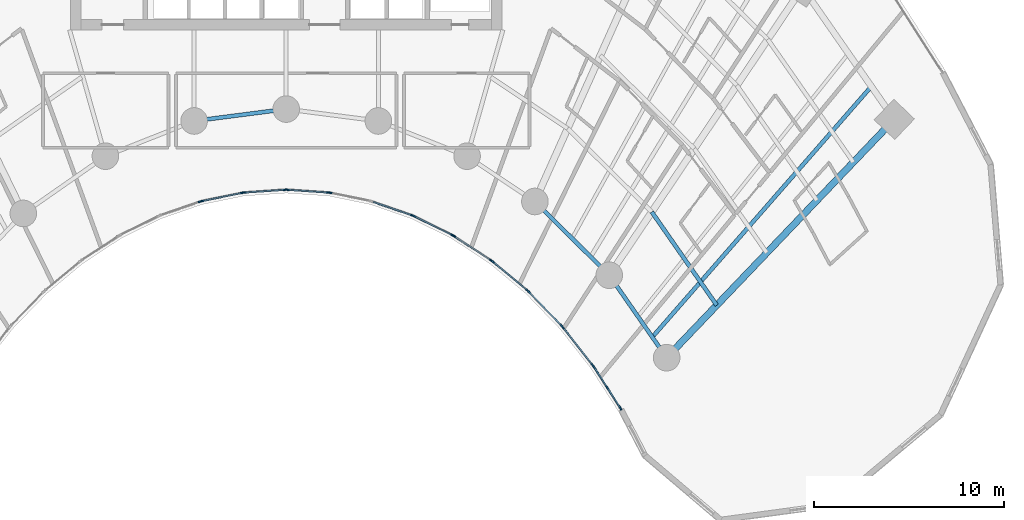
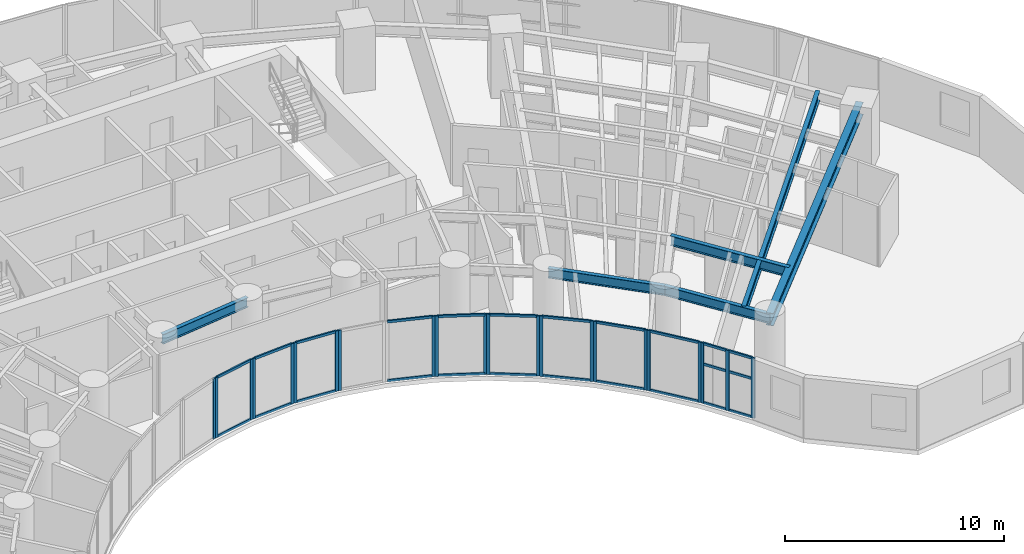
# One storey, part 4 of 18: 46 members, 6 beams, 12 elements without a shape of their own.
"""IFC4 building model written with IfcOpenShell, lengths in metres."""

import ifcopenshell
import ifcopenshell.guid

model = None  # the IFC model being written
_history = None  # IfcOwnerHistory: only IFC2X3 demands one
_inside = {}  # id of a spatial element -> (the spatial element, [elements in it])
_under = {}  # id of a project, library or spatial element -> (it, [spatial elements below it])
_declared = {}  # id of a project -> (the project, [libraries it declares])
_typed = {}  # id of a type object -> (the type object, [elements of that type])
_made_of = {}  # id of a material, layer set ... -> (it, [elements and type objects made of it])


def new_model(schema):
    """Start an empty IFC model of exactly this schema.

    Asked for "IFC4X3", IfcOpenShell would pick the latest addendum, in which some entities
    have other attributes; the version numbers below select the first issue.
    IFC2X3 requires an IfcOwnerHistory on every rooted entity: one is made here for all.
    """
    global model, _history
    if schema == "IFC4X3":
        model = ifcopenshell.file(schema_version=(4, 3, 0, 0))
    else:
        model = ifcopenshell.file(schema=schema)
    _inside.clear()
    _under.clear()
    _declared.clear()
    _typed.clear()
    _made_of.clear()
    _history = None
    if model.schema == "IFC2X3":
        org = make("IfcOrganization", Name="unknown")
        user = make(
            "IfcPersonAndOrganization",
            ThePerson=make("IfcPerson", FamilyName="unknown"),
            TheOrganization=org,
        )
        app = make(
            "IfcApplication",
            ApplicationDeveloper=org,
            Version="unknown",
            ApplicationFullName="unknown",
            ApplicationIdentifier="unknown",
        )
        _history = make(
            "IfcOwnerHistory",
            OwningUser=user,
            OwningApplication=app,
            ChangeAction="ADDED",
            CreationDate=0,
        )
    return model


def make(cls, **values):
    """One entity of the class cls with the attributes given. An attribute that is None is left unset."""
    return model.create_entity(
        cls, **{name: value for name, value in values.items() if value is not None}
    )


def rooted(cls, **values):
    """An entity with a GlobalId (a new one), such as an element, a storey or a relation."""
    return make(cls, GlobalId=ifcopenshell.guid.new(), OwnerHistory=_history, **values)


def si_unit(unit_type, name, prefix=None):
    """IfcSIUnit, for example si_unit("LENGTHUNIT", "METRE", prefix="MILLI")."""
    return make("IfcSIUnit", UnitType=unit_type, Prefix=prefix, Name=name)


def assignment(units):
    """IfcUnitAssignment: the units of a project."""
    return None if units is None else make("IfcUnitAssignment", Units=units)


def point(xyz):
    """IfcCartesianPoint."""
    return None if xyz is None else make("IfcCartesianPoint", Coordinates=xyz)


def direction(xyz):
    """IfcDirection."""
    return None if xyz is None else make("IfcDirection", DirectionRatios=xyz)


def frame(location, z_axis=None, x_axis=None):
    """IfcAxis2Placement3D, a coordinate frame: its origin and axes. An axis left out is left unset."""
    return make(
        "IfcAxis2Placement3D",
        Location=point(location),
        Axis=direction(z_axis),
        RefDirection=direction(x_axis),
    )


def frame_2d(location, x_axis=None):
    """IfcAxis2Placement2D, a coordinate frame in the plane: its origin and x axis."""
    return make(
        "IfcAxis2Placement2D", Location=point(location), RefDirection=direction(x_axis)
    )


def origin():
    """The frame at (0, 0, 0) with its axes left unset."""
    return frame((0.0, 0.0, 0.0))


def origin_2d():
    """The frame at (0, 0) in the plane with its x axis left unset."""
    return frame_2d((0.0, 0.0))


def place(relative_to, where):
    """IfcLocalPlacement: puts the frame where relative to a parent placement (None: the world)."""
    return make(
        "IfcLocalPlacement", PlacementRelTo=relative_to, RelativePlacement=where
    )


def context(
    kind, dimensions, precision=None, world=None, true_north=None, identifier=None
):
    """IfcGeometricRepresentationContext, for example the 3D "Model" context."""
    return make(
        "IfcGeometricRepresentationContext",
        ContextIdentifier=identifier,
        ContextType=kind,
        CoordinateSpaceDimension=dimensions,
        Precision=precision,
        WorldCoordinateSystem=world,
        TrueNorth=true_north,
    )


def subcontext(parent, identifier, kind, view, scale=None):
    """IfcGeometricRepresentationSubContext, for example "Body" below "Model"."""
    return make(
        "IfcGeometricRepresentationSubContext",
        ContextIdentifier=identifier,
        ContextType=kind,
        ParentContext=parent,
        TargetScale=scale,
        TargetView=view,
    )


def project(units=None, contexts=None):
    """IfcProject with its units and contexts."""
    return rooted(
        "IfcProject",
        Name="project",
        RepresentationContexts=contexts,
        UnitsInContext=assignment(units),
    )


def spatial(cls, under=None, at=None, **own):
    """A site, building, storey or space (cls), placed at a placement, below another one or the project."""
    s = rooted(cls, ObjectPlacement=at, **own)
    if under is not None:
        _under.setdefault(under.id(), (under, []))[1].append(s)
    return s


def profile(cls, at=None, kind="AREA", **sizes):
    """A parametric profile (cls). Its sizes go by their IFC names, for example OverallWidth=200.0."""
    return make(cls, ProfileType=kind, Position=at, **sizes)


def rectangle(**sizes):
    """IfcRectangleProfileDef."""
    return profile("IfcRectangleProfileDef", **sizes)


def i_section(**sizes):
    """IfcIShapeProfileDef."""
    return profile("IfcIShapeProfileDef", **sizes)


def extrude(swept, where, along, depth):
    """IfcExtrudedAreaSolid: the profile swept, set in the frame where, extruded along a direction by depth."""
    return make(
        "IfcExtrudedAreaSolid",
        SweptArea=swept,
        Position=where,
        ExtrudedDirection=direction(along),
        Depth=depth,
    )


def shape(context_of_items, identifier, shape_type, items):
    """IfcShapeRepresentation: the items that make up one representation, for example the "Body"."""
    return make(
        "IfcShapeRepresentation",
        ContextOfItems=context_of_items,
        RepresentationIdentifier=identifier,
        RepresentationType=shape_type,
        Items=items,
    )


def source(mapping_origin, context_of_items, identifier, shape_type, items):
    """IfcRepresentationMap: a shape defined once, which mapped items show again and again."""
    return make(
        "IfcRepresentationMap",
        MappingOrigin=mapping_origin,
        MappedRepresentation=shape(context_of_items, identifier, shape_type, items),
    )


def transform(
    local_origin,
    x_axis=None,
    y_axis=None,
    z_axis=None,
    scale=None,
    scale2=None,
    scale3=None,
    uniform=True,
):
    """IfcCartesianTransformationOperator3D, or its non-uniform kind. x_axis, y_axis, z_axis: its Axis1, 2, 3."""
    if uniform:
        return make(
            "IfcCartesianTransformationOperator3D",
            Axis1=direction(x_axis),
            Axis2=direction(y_axis),
            LocalOrigin=point(local_origin),
            Scale=scale,
            Axis3=direction(z_axis),
        )
    return make(
        "IfcCartesianTransformationOperator3DnonUniform",
        Axis1=direction(x_axis),
        Axis2=direction(y_axis),
        LocalOrigin=point(local_origin),
        Scale=scale,
        Axis3=direction(z_axis),
        Scale2=scale2,
        Scale3=scale3,
    )


def mapped(mapping_source, mapping_target):
    """IfcMappedItem: shows the shape of a source again, moved by a transform."""
    return make(
        "IfcMappedItem", MappingSource=mapping_source, MappingTarget=mapping_target
    )


def material(Name=None, Category=None):
    """IfcMaterial."""
    return make("IfcMaterial", Name=Name, Category=Category)


def layer(
    of_material, thickness, ventilated=None, Name=None, Category=None, Priority=None
):
    """IfcMaterialLayer: one layer of a wall or slab, of a material (None: an air gap)."""
    return make(
        "IfcMaterialLayer",
        Material=of_material,
        LayerThickness=thickness,
        IsVentilated=ventilated,
        Name=Name,
        Category=Category,
        Priority=Priority,
    )


def layer_set(layers, Name=None):
    """IfcMaterialLayerSet."""
    return make("IfcMaterialLayerSet", MaterialLayers=layers, LayerSetName=Name)


def material_profile(
    of_material, cross_section, Name=None, Category=None, Priority=None
):
    """IfcMaterialProfile: a cross section and its material."""
    return make(
        "IfcMaterialProfile",
        Name=Name,
        Material=of_material,
        Profile=cross_section,
        Priority=Priority,
        Category=Category,
    )


def profile_set(profiles, Name=None, composite=None):
    """IfcMaterialProfileSet."""
    return make(
        "IfcMaterialProfileSet",
        Name=Name,
        MaterialProfiles=profiles,
        CompositeProfile=composite,
    )


def made_of(thing, what):
    """Note that an element or type object is made of a material, layer set ...; save() writes the relation."""
    if what is not None:
        _made_of.setdefault(what.id(), (what, []))[1].append(thing)
    return thing


def type_object(cls, material=None, **own):
    """A type object (cls), such as IfcWallType, which elements share."""
    return made_of(rooted(cls, **own), material)


def type_shapes(of_type, sources):
    """Give a type object the sources (RepresentationMaps) that its elements show as mapped items."""
    of_type.RepresentationMaps = sources


def element(
    cls,
    number,
    at=None,
    inside=None,
    cuts=None,
    type_object=None,
    material=None,
    context=None,
    identifier="Body",
    shape_type=None,
    held_by="IfcProductDefinitionShape",
    body=None,
    shapes=None,
    **own,
):
    """One element of the class cls, such as IfcWall. Its Tag is "e" and its number.

    at: its placement. inside: the storey or other place that contains it. cuts: it is an
    opening in that element (IfcRelVoidsElement). A single representation is given by context,
    identifier, shape_type and body (its items); several are given by shapes. held_by: the class
    of the entity that holds the representations. save() writes the other relations.
    """
    e = rooted(cls, Tag="e%d" % number, ObjectPlacement=at, **own)
    if body is not None:
        shapes = [shape(context, identifier, shape_type, body)]
    if shapes is not None:
        e.Representation = make(held_by, Representations=shapes)
    if inside is not None:
        _inside.setdefault(inside.id(), (inside, []))[1].append(e)
    if cuts is not None:
        rooted(
            "IfcRelVoidsElement", RelatingBuildingElement=cuts, RelatedOpeningElement=e
        )
    if type_object is not None:
        _typed.setdefault(type_object.id(), (type_object, []))[1].append(e)
    return made_of(e, material)


def aggregate(whole, parts):
    """IfcRelAggregates: a whole, such as a stair, and the parts it consists of."""
    return rooted("IfcRelAggregates", RelatingObject=whole, RelatedObjects=parts)


def save(model, path):
    """Write the relations noted so far, then the file.

    IfcRelAggregates (storeys below a building ...), IfcRelContainedInSpatialStructure (elements
    in a storey), IfcRelDefinesByType, IfcRelAssociatesMaterial and IfcRelDeclares: one each for
    every whole, place, type object, material and project.
    """
    for whole, parts in _under.values():
        aggregate(whole, parts)
    for where, things in _inside.values():
        rooted(
            "IfcRelContainedInSpatialStructure",
            RelatedElements=things,
            RelatingStructure=where,
        )
    for kind, things in _typed.values():
        rooted("IfcRelDefinesByType", RelatedObjects=things, RelatingType=kind)
    for what, things in _made_of.values():
        rooted("IfcRelAssociatesMaterial", RelatedObjects=things, RelatingMaterial=what)
    for by, libraries in _declared.values():
        rooted("IfcRelDeclares", RelatingContext=by, RelatedDefinitions=libraries)
    model.write(path)


model = new_model("IFC4")

# Units and contexts
model_context = context("Model", 3, precision=1e-05, world=origin(), true_north=direction((0.0, 1.0)))
body_context = subcontext(model_context, "Body", "Model", "MODEL_VIEW")
ifc_project = project(units=[si_unit("LENGTHUNIT", "METRE"), si_unit("AREAUNIT", "SQUARE_METRE"), si_unit("VOLUMEUNIT", "CUBIC_METRE"), si_unit("PLANEANGLEUNIT", "RADIAN"), si_unit("MASSUNIT", "GRAM", prefix="KILO")], contexts=[model_context])

# Site, building, storey
site_placement = place(None, origin())
site = spatial("IfcSite", under=ifc_project, at=site_placement, CompositionType="ELEMENT")
building_placement = place(site_placement, origin())
building = spatial("IfcBuilding", under=site, at=building_placement, Name="Breltana Convention Tower", CompositionType="ELEMENT")
storey_placement = place(building_placement, frame((0.0, 0.0, 35.39990234375)))
storey = spatial("IfcBuildingStorey", under=building, at=storey_placement, Name="L06", CompositionType="ELEMENT", Elevation=35.39990234375)

# Beams
ifc_material_1 = material(Name="Steel ASTM A992 Grade 50", Category="steel")
ifc_material_profile_1 = material_profile(ifc_material_1, i_section(OverallWidth=0.35498046875, OverallDepth=0.696044921875, WebThickness=0.015380859375, FlangeThickness=0.02490234375, at=origin_2d()), Name="W27X146")
ifc_profile_set_1 = profile_set([ifc_material_profile_1], Name="Steel ASTM A992 Grade 50")
beam_type_1 = type_object("IfcBeamType", Name="BM-RG-W27X146", PredefinedType="USERDEFINED", material=ifc_profile_set_1)
shared_shape_1 = source(origin(), body_context, "Body", "SweptSolid", [
    extrude(i_section(OverallWidth=0.35498046875, OverallDepth=0.696044921875, WebThickness=0.015380859375, FlangeThickness=0.02490234375, at=origin_2d()), origin(), (0.0, 0.0, 1.0), 17.341064453125),
])
type_shapes(beam_type_1, [shared_shape_1])
beam_1_placement = place(storey_placement, frame((68.015380859375, 42.95458984375, 3.01220703125), z_axis=(0.690716462293, 0.723125693581, 0.0), x_axis=(-0.723125693581, 0.690716462293, 0.0)))
element("IfcBeam", 1, at=beam_1_placement, inside=storey, type_object=beam_type_1, Name="L06 Radial Floor Girder R11", ObjectType="GIRDER", PredefinedType="USERDEFINED", context=body_context, shape_type="MappedRepresentation", body=[
    mapped(shared_shape_1, transform((0.0, 0.0, 0.0), scale=1.0)),
])
ifc_material_profile_2 = material_profile(ifc_material_1, i_section(OverallWidth=0.2099609375, OverallDepth=0.537109375, WebThickness=0.010986328125, FlangeThickness=0.017333984375, at=origin_2d()), Name="W21X68")
ifc_profile_set_2 = profile_set([ifc_material_profile_2], Name="Steel ASTM A992 Grade 50")
beam_type_2 = type_object("IfcBeamType", Name="BM-BM-W21X68", PredefinedType="BEAM", material=ifc_profile_set_2)
shared_shape_2 = source(origin(), body_context, "Body", "SweptSolid", [
    extrude(i_section(OverallWidth=0.2099609375, OverallDepth=0.537109375, WebThickness=0.010986328125, FlangeThickness=0.017333984375, at=origin_2d()), origin(), (0.0, 0.0, 1.0), 4.88671875),
])
beam_2_placement = place(storey_placement, frame((43.153564453125, 55.41064453125, 3.091552734375), z_axis=(0.991780525565, 0.127950729231, 0.0), x_axis=(-0.127950729231, 0.991780525565, 0.0)))
element("IfcBeam", 2, at=beam_2_placement, inside=storey, type_object=beam_type_2, Name="L06 Inner Ring Beam 05", PredefinedType="BEAM", context=body_context, shape_type="MappedRepresentation", body=[
    mapped(shared_shape_2, transform((0.0, 0.0, 0.0), scale=1.0)),
])
shared_shape_3 = source(origin(), body_context, "Body", "SweptSolid", [
    extrude(i_section(OverallWidth=0.2099609375, OverallDepth=0.537109375, WebThickness=0.010986328125, FlangeThickness=0.017333984375, at=origin_2d()), origin(), (0.0, 0.0, 1.0), 5.51171875),
])
beam_3_placement = place(storey_placement, frame((61.08203125, 51.174560546875, 3.091552734375), z_axis=(0.710090360749, -0.704110559196, 0.0), x_axis=(0.704110559196, 0.710090360749, 0.0)))
element("IfcBeam", 3, at=beam_3_placement, inside=storey, type_object=beam_type_2, Name="L06 Inner Ring Beam 09", PredefinedType="BEAM", context=body_context, shape_type="MappedRepresentation", body=[
    mapped(shared_shape_3, transform((0.0, 0.0, 0.0), scale=1.0)),
])
shared_shape_4 = source(origin(), body_context, "Body", "SweptSolid", [
    extrude(i_section(OverallWidth=0.2099609375, OverallDepth=0.537109375, WebThickness=0.010986328125, FlangeThickness=0.017333984375, at=origin_2d()), origin(), (0.0, 0.0, 1.0), 5.286376953125),
])
beam_4_placement = place(storey_placement, frame((64.995849609375, 47.293701171875, 3.091552734375), z_axis=(0.571194382458, -0.82081482531, 0.0), x_axis=(0.82081482531, 0.571194382458, 0.0)))
element("IfcBeam", 4, at=beam_4_placement, inside=storey, type_object=beam_type_2, Name="L06 Inner Ring Beam 10", PredefinedType="BEAM", context=body_context, shape_type="MappedRepresentation", body=[
    mapped(shared_shape_4, transform((0.0, 0.0, 0.0), scale=1.0)),
])
ifc_material_profile_3 = material_profile(ifc_material_1, i_section(OverallWidth=0.214111328125, OverallDepth=0.549072265625, WebThickness=0.0146484375, FlangeThickness=0.023681640625, at=origin_2d()), Name="W21X93")
ifc_profile_set_3 = profile_set([ifc_material_profile_3], Name="Steel ASTM A992 Grade 50")
beam_type_3 = type_object("IfcBeamType", Name="BM-JSG-03", PredefinedType="JOIST", material=ifc_profile_set_3)
shared_shape_5 = source(origin(), body_context, "Body", "SweptSolid", [
    extrude(i_section(OverallWidth=0.214111328125, OverallDepth=0.549072265625, WebThickness=0.0146484375, FlangeThickness=0.023681640625, at=origin_2d()), origin(), (0.0, 0.0, 1.0), 17.515625),
])
beam_5_placement = place(storey_placement, frame((67.260498046875, 44.03955078125, 3.085693359375), z_axis=(0.658051548324, 0.752972881151, 0.0), x_axis=(-0.752972881151, 0.658051548324, 0.0)))
element("IfcBeam", 5, at=beam_5_placement, inside=storey, type_object=beam_type_3, Name="L06 Quarter-Bay Radial Trimmer 10", PredefinedType="JOIST", context=body_context, shape_type="MappedRepresentation", body=[
    mapped(shared_shape_5, transform((0.0, 0.0, 0.0), scale=1.0)),
])
shared_shape_6 = source(origin(), body_context, "Body", "SweptSolid", [
    extrude(i_section(OverallWidth=0.214111328125, OverallDepth=0.549072265625, WebThickness=0.0146484375, FlangeThickness=0.023681640625, at=origin_2d()), origin(), (0.0, 0.0, 1.0), 5.982421875),
])
beam_6_placement = place(storey_placement, frame((67.2333984375, 50.623779296875, 3.085693359375), z_axis=(0.571211549446, -0.82080287876, 0.0), x_axis=(0.82080287876, 0.571211549446, 0.0)))
element("IfcBeam", 6, at=beam_6_placement, inside=storey, type_object=beam_type_3, Name="L06 Composite Floor Joist 10.1", PredefinedType="JOIST", context=body_context, shape_type="MappedRepresentation", body=[
    mapped(shared_shape_6, transform((0.0, 0.0, 0.0), scale=1.0)),
])

# Curtain wall, members
ifc_material_2 = material(Name="Aluminium Anodised Bronze Frame", Category="aluminium")
ifc_layer = layer(ifc_material_2, 0.18994140625, Name="Aluminium Anodised Bronze Frame")
ifc_layer_set = layer_set([ifc_layer], Name="Aluminium Anodised Bronze Frame")
curtain_wall_type = type_object("IfcCurtainWallType", Name="CW-SYS-1", PredefinedType="NOTDEFINED", material=ifc_layer_set)
curtain_wall_1_placement = place(storey_placement, origin())
curtain_wall_1 = element("IfcCurtainWall", 7, at=curtain_wall_1_placement, inside=storey, type_object=curtain_wall_type, Name="L06 inner south-court glazing 3", PredefinedType="NOTDEFINED")
ifc_material_3 = material(Name="Aluminium Anodised Bronze", Category="aluminium")
ifc_material_profile_4 = material_profile(ifc_material_3, rectangle(XDim=0.080078125, YDim=0.139892578125, at=origin_2d()), Name="CWT-80X140")
ifc_profile_set_4 = profile_set([ifc_material_profile_4], Name="Aluminium Anodised Bronze")
member_type_1 = type_object("IfcMemberType", Name="CWT-140", PredefinedType="USERDEFINED", material=ifc_profile_set_4)
shared_shape_7 = source(origin(), body_context, "Body", "SweptSolid", [
    extrude(rectangle(XDim=0.080078125, YDim=0.139892578125, at=origin_2d()), origin(), (0.0, 0.0, 1.0), 2.38720703125),
])
type_shapes(member_type_1, [shared_shape_7])
member_1_placement = place(storey_placement, frame((62.4560546875, 44.667724609375, 0.0400390625), z_axis=(-0.694623715393, 0.719373264734, 0.0), x_axis=(-0.719373264734, -0.694623715393, 0.0)))
member_1 = element("IfcMember", 8, at=member_1_placement, type_object=member_type_1, Name="CW-01 transom 1.1", ObjectType="TRANSOM", PredefinedType="USERDEFINED", context=body_context, shape_type="MappedRepresentation", body=[
    mapped(shared_shape_7, transform((0.0, 0.0, 0.0), scale=1.0)),
])
member_2_placement = place(storey_placement, frame((62.4560546875, 44.667724609375, 3.320068359375), z_axis=(-0.694623715393, 0.719373264734, 0.0), x_axis=(-0.719373264734, -0.694623715393, 0.0)))
member_2 = element("IfcMember", 9, at=member_2_placement, type_object=member_type_1, Name="CW-01 transom 1.2", ObjectType="TRANSOM", PredefinedType="USERDEFINED", context=body_context, shape_type="MappedRepresentation", body=[
    mapped(shared_shape_7, transform((0.0, 0.0, 0.0), scale=1.0)),
])

curtain_wall_2_placement = place(storey_placement, origin())
curtain_wall_2 = element("IfcCurtainWall", 10, at=curtain_wall_2_placement, inside=storey, type_object=curtain_wall_type, Name="L06 inner south-court glazing 4", PredefinedType="NOTDEFINED")
shared_shape_8 = source(origin(), body_context, "Body", "SweptSolid", [
    extrude(rectangle(XDim=0.080078125, YDim=0.139892578125, at=origin_2d()), origin(), (0.0, 0.0, 1.0), 2.312255859375),
])
member_3_placement = place(storey_placement, frame((60.666748046875, 46.5068359375, 0.0400390625), z_axis=(-0.767900974507, 0.640568570374, 0.0), x_axis=(-0.640568570374, -0.767900974507, 0.0)))
member_3 = element("IfcMember", 11, at=member_3_placement, type_object=member_type_1, Name="CW-01 transom 1.1", ObjectType="TRANSOM", PredefinedType="USERDEFINED", context=body_context, shape_type="MappedRepresentation", body=[
    mapped(shared_shape_8, transform((0.0, 0.0, 0.0), scale=1.0)),
])
member_4_placement = place(storey_placement, frame((60.666748046875, 46.5068359375, 3.320068359375), z_axis=(-0.767900974507, 0.640568570374, 0.0), x_axis=(-0.640568570374, -0.767900974507, 0.0)))
member_4 = element("IfcMember", 12, at=member_4_placement, type_object=member_type_1, Name="CW-01 transom 1.2", ObjectType="TRANSOM", PredefinedType="USERDEFINED", context=body_context, shape_type="MappedRepresentation", body=[
    mapped(shared_shape_8, transform((0.0, 0.0, 0.0), scale=1.0)),
])

curtain_wall_3_placement = place(storey_placement, origin())
curtain_wall_3 = element("IfcCurtainWall", 13, at=curtain_wall_3_placement, inside=storey, type_object=curtain_wall_type, Name="L06 inner south-court glazing 5", PredefinedType="NOTDEFINED")
shared_shape_9 = source(origin(), body_context, "Body", "SweptSolid", [
    extrude(rectangle(XDim=0.080078125, YDim=0.139892578125, at=origin_2d()), origin(), (0.0, 0.0, 1.0), 2.2421875),
])
member_5_placement = place(storey_placement, frame((58.746337890625, 48.095458984375, 0.0400390625), z_axis=(-0.835982353773, 0.548756324957, 0.0), x_axis=(-0.548756324957, -0.835982353773, 0.0)))
member_5 = element("IfcMember", 14, at=member_5_placement, type_object=member_type_1, Name="CW-01 transom 1.1", ObjectType="TRANSOM", PredefinedType="USERDEFINED", context=body_context, shape_type="MappedRepresentation", body=[
    mapped(shared_shape_9, transform((0.0, 0.0, 0.0), scale=1.0)),
])
member_6_placement = place(storey_placement, frame((58.746337890625, 48.095458984375, 3.320068359375), z_axis=(-0.835982353773, 0.548756324957, 0.0), x_axis=(-0.548756324957, -0.835982353773, 0.0)))
member_6 = element("IfcMember", 15, at=member_6_placement, type_object=member_type_1, Name="CW-01 transom 1.2", ObjectType="TRANSOM", PredefinedType="USERDEFINED", context=body_context, shape_type="MappedRepresentation", body=[
    mapped(shared_shape_9, transform((0.0, 0.0, 0.0), scale=1.0)),
])

curtain_wall_4_placement = place(storey_placement, origin())
curtain_wall_4 = element("IfcCurtainWall", 16, at=curtain_wall_4_placement, inside=storey, type_object=curtain_wall_type, Name="L06 inner south-court glazing 6", PredefinedType="NOTDEFINED")
shared_shape_10 = source(origin(), body_context, "Body", "SweptSolid", [
    extrude(rectangle(XDim=0.080078125, YDim=0.139892578125, at=origin_2d()), origin(), (0.0, 0.0, 1.0), 2.180908203125),
])
member_7_placement = place(storey_placement, frame((56.71435546875, 49.416015625, 0.0400390625), z_axis=(-0.895922266369, 0.444210865045, 0.0), x_axis=(-0.444210865045, -0.895922266369, 0.0)))
member_7 = element("IfcMember", 17, at=member_7_placement, type_object=member_type_1, Name="CW-01 transom 1.1", ObjectType="TRANSOM", PredefinedType="USERDEFINED", context=body_context, shape_type="MappedRepresentation", body=[
    mapped(shared_shape_10, transform((0.0, 0.0, 0.0), scale=1.0)),
])
member_8_placement = place(storey_placement, frame((56.71435546875, 49.416015625, 3.320068359375), z_axis=(-0.895922266369, 0.444210865045, 0.0), x_axis=(-0.444210865045, -0.895922266369, 0.0)))
member_8 = element("IfcMember", 18, at=member_8_placement, type_object=member_type_1, Name="CW-01 transom 1.2", ObjectType="TRANSOM", PredefinedType="USERDEFINED", context=body_context, shape_type="MappedRepresentation", body=[
    mapped(shared_shape_10, transform((0.0, 0.0, 0.0), scale=1.0)),
])

curtain_wall_5_placement = place(storey_placement, origin())
curtain_wall_5 = element("IfcCurtainWall", 19, at=curtain_wall_5_placement, inside=storey, type_object=curtain_wall_type, Name="L06 inner south-court glazing 9", PredefinedType="NOTDEFINED")
shared_shape_11 = source(origin(), body_context, "Body", "SweptSolid", [
    extrude(rectangle(XDim=0.080078125, YDim=0.139892578125, at=origin_2d()), origin(), (0.0, 0.0, 1.0), 2.07861328125),
])
member_9_placement = place(storey_placement, frame((50.165771484375, 51.6474609375, 0.0400390625), z_axis=(-0.997708627147, 0.067657189691, 0.0), x_axis=(-0.067657189691, -0.997708627147, 0.0)))
member_9 = element("IfcMember", 20, at=member_9_placement, type_object=member_type_1, Name="CW-01 transom 1.1", ObjectType="TRANSOM", PredefinedType="USERDEFINED", context=body_context, shape_type="MappedRepresentation", body=[
    mapped(shared_shape_11, transform((0.0, 0.0, 0.0), scale=1.0)),
])
member_10_placement = place(storey_placement, frame((50.165771484375, 51.6474609375, 3.320068359375), z_axis=(-0.997708627147, 0.067657189691, 0.0), x_axis=(-0.067657189691, -0.997708627147, 0.0)))
member_10 = element("IfcMember", 21, at=member_10_placement, type_object=member_type_1, Name="CW-01 transom 1.2", ObjectType="TRANSOM", PredefinedType="USERDEFINED", context=body_context, shape_type="MappedRepresentation", body=[
    mapped(shared_shape_11, transform((0.0, 0.0, 0.0), scale=1.0)),
])

curtain_wall_6_placement = place(storey_placement, origin())
curtain_wall_6 = element("IfcCurtainWall", 22, at=curtain_wall_6_placement, inside=storey, type_object=curtain_wall_type, Name="L06 inner south-court glazing 10", PredefinedType="NOTDEFINED")
member_11_placement = place(storey_placement, frame((47.907958984375, 51.7880859375, 0.0400390625), z_axis=(-0.997708627147, -0.067657189691, 0.0), x_axis=(0.067657189691, -0.997708627147, 0.0)))
member_11 = element("IfcMember", 23, at=member_11_placement, type_object=member_type_1, Name="CW-01 transom 1.1", ObjectType="TRANSOM", PredefinedType="USERDEFINED", context=body_context, shape_type="MappedRepresentation", body=[
    mapped(shared_shape_11, transform((0.0, 0.0, 0.0), scale=1.0)),
])
member_12_placement = place(storey_placement, frame((47.907958984375, 51.7880859375, 3.320068359375), z_axis=(-0.997708627147, -0.067657189691, 0.0), x_axis=(0.067657189691, -0.997708627147, 0.0)))
member_12 = element("IfcMember", 24, at=member_12_placement, type_object=member_type_1, Name="CW-01 transom 1.2", ObjectType="TRANSOM", PredefinedType="USERDEFINED", context=body_context, shape_type="MappedRepresentation", body=[
    mapped(shared_shape_11, transform((0.0, 0.0, 0.0), scale=1.0)),
])

curtain_wall_7_placement = place(storey_placement, origin())
curtain_wall_7 = element("IfcCurtainWall", 25, at=curtain_wall_7_placement, inside=storey, type_object=curtain_wall_type, Name="L06 inner south-court glazing 2", PredefinedType="NOTDEFINED")
shared_shape_12 = source(origin(), body_context, "Body", "SweptSolid", [
    extrude(rectangle(XDim=0.080078125, YDim=0.139892578125, at=origin_2d()), origin(), (0.0, 0.0, 1.0), 2.4638671875),
])
member_13_placement = place(storey_placement, frame((64.09619140625, 42.5966796875, 0.0400390625), z_axis=(-0.618184689608, 0.786032880695, 0.0), x_axis=(-0.786032880695, -0.618184689608, 0.0)))
member_13 = element("IfcMember", 26, at=member_13_placement, type_object=member_type_1, Name="CW-01 transom 1.1", ObjectType="TRANSOM", PredefinedType="USERDEFINED", context=body_context, shape_type="MappedRepresentation", body=[
    mapped(shared_shape_12, transform((0.0, 0.0, 0.0), scale=1.0)),
])
member_14_placement = place(storey_placement, frame((64.09619140625, 42.5966796875, 3.320068359375), z_axis=(-0.618184689608, 0.786032880695, 0.0), x_axis=(-0.786032880695, -0.618184689608, 0.0)))
member_14 = element("IfcMember", 27, at=member_14_placement, type_object=member_type_1, Name="CW-01 transom 1.2", ObjectType="TRANSOM", PredefinedType="USERDEFINED", context=body_context, shape_type="MappedRepresentation", body=[
    mapped(shared_shape_12, transform((0.0, 0.0, 0.0), scale=1.0)),
])

curtain_wall_8_placement = place(storey_placement, origin())
curtain_wall_8 = element("IfcCurtainWall", 28, at=curtain_wall_8_placement, inside=storey, type_object=curtain_wall_type, Name="L06 inner south-court glazing 1", PredefinedType="NOTDEFINED")
ifc_material_profile_5 = material_profile(ifc_material_3, rectangle(XDim=0.080078125, YDim=0.199951171875, at=origin_2d()), Name="CWM-80X200")
ifc_profile_set_5 = profile_set([ifc_material_profile_5], Name="Aluminium Anodised Bronze")
member_type_2 = type_object("IfcMemberType", Name="CWM-200", PredefinedType="MULLION", material=ifc_profile_set_5)
shared_shape_13 = source(origin(), body_context, "Body", "SweptSolid", [
    extrude(rectangle(XDim=0.080078125, YDim=0.199951171875, at=origin_2d()), origin(), (0.0, 0.0, 1.0), 3.360107421875),
])
member_15_placement = place(storey_placement, frame((65.59228515625, 40.281494140625, 0.0), z_axis=(0.0, 0.0, 1.0), x_axis=(-0.841556194767, -0.540169576197, 0.0)))
member_15 = element("IfcMember", 29, at=member_15_placement, type_object=member_type_2, Name="CW-01 mullion 1", PredefinedType="MULLION", context=body_context, shape_type="MappedRepresentation", body=[
    mapped(shared_shape_13, transform((0.0, 0.0, 0.0), scale=1.0)),
])
member_16_placement = place(storey_placement, frame((64.884765625, 41.3837890625, 0.0), z_axis=(0.0, 0.0, 1.0), x_axis=(-0.841556194767, -0.540169576197, 0.0)))
member_16 = element("IfcMember", 30, at=member_16_placement, type_object=member_type_2, Name="CW-01 mullion 2", PredefinedType="MULLION", context=body_context, shape_type="MappedRepresentation", body=[
    mapped(shared_shape_13, transform((0.0, 0.0, 0.0), scale=1.0)),
])
member_17_placement = place(storey_placement, frame((64.17724609375, 42.48583984375, 0.0), z_axis=(0.0, 0.0, 1.0), x_axis=(-0.841556194767, -0.540169576197, 0.0)))
member_17 = element("IfcMember", 31, at=member_17_placement, type_object=member_type_2, Name="CW-01 mullion 3", PredefinedType="MULLION", context=body_context, shape_type="MappedRepresentation", body=[
    mapped(shared_shape_13, transform((0.0, 0.0, 0.0), scale=1.0)),
])

# Member
member_18_placement = place(storey_placement, frame((64.12109375, 42.565185546875, 0.0), z_axis=(0.0, 0.0, 1.0), x_axis=(-0.786057762734, -0.61815305034, 0.0)))
member_18 = element("IfcMember", 32, at=member_18_placement, type_object=member_type_2, Name="CW-01 mullion 1", PredefinedType="MULLION", context=body_context, shape_type="MappedRepresentation", body=[
    mapped(shared_shape_13, transform((0.0, 0.0, 0.0), scale=1.0)),
])

member_19_placement = place(storey_placement, frame((62.54833984375, 44.56494140625, 0.0), z_axis=(0.0, 0.0, 1.0), x_axis=(-0.786057762734, -0.61815305034, 0.0)))
member_19 = element("IfcMember", 33, at=member_19_placement, type_object=member_type_2, Name="CW-01 mullion 2", PredefinedType="MULLION", context=body_context, shape_type="MappedRepresentation", body=[
    mapped(shared_shape_13, transform((0.0, 0.0, 0.0), scale=1.0)),
])

aggregate(curtain_wall_7, [member_18, member_19, member_13, member_14])

member_20_placement = place(storey_placement, frame((62.48388671875, 44.638916015625, 0.0), z_axis=(0.0, 0.0, 1.0), x_axis=(-0.719384548773, -0.694612029111, 0.0)))
member_20 = element("IfcMember", 34, at=member_20_placement, type_object=member_type_2, Name="CW-01 mullion 1", PredefinedType="MULLION", context=body_context, shape_type="MappedRepresentation", body=[
    mapped(shared_shape_13, transform((0.0, 0.0, 0.0), scale=1.0)),
])

member_21_placement = place(storey_placement, frame((60.77001953125, 46.413818359375, 0.0), z_axis=(0.0, 0.0, 1.0), x_axis=(-0.719384548773, -0.694612029111, 0.0)))
member_21 = element("IfcMember", 35, at=member_21_placement, type_object=member_type_2, Name="CW-01 mullion 2", PredefinedType="MULLION", context=body_context, shape_type="MappedRepresentation", body=[
    mapped(shared_shape_13, transform((0.0, 0.0, 0.0), scale=1.0)),
])

aggregate(curtain_wall_1, [member_20, member_21, member_1, member_2])

member_22_placement = place(storey_placement, frame((60.697265625, 46.481201171875, 0.0), z_axis=(0.0, 0.0, 1.0), x_axis=(-0.640522524458, -0.767939382804, 0.0)))
member_22 = element("IfcMember", 36, at=member_22_placement, type_object=member_type_2, Name="CW-01 mullion 1", PredefinedType="MULLION", context=body_context, shape_type="MappedRepresentation", body=[
    mapped(shared_shape_13, transform((0.0, 0.0, 0.0), scale=1.0)),
])

member_23_placement = place(storey_placement, frame((58.8603515625, 48.013671875, 0.0), z_axis=(0.0, 0.0, 1.0), x_axis=(-0.640522524458, -0.767939382804, 0.0)))
member_23 = element("IfcMember", 37, at=member_23_placement, type_object=member_type_2, Name="CW-01 mullion 2", PredefinedType="MULLION", context=body_context, shape_type="MappedRepresentation", body=[
    mapped(shared_shape_13, transform((0.0, 0.0, 0.0), scale=1.0)),
])

aggregate(curtain_wall_2, [member_22, member_23, member_3, member_4])

member_24_placement = place(storey_placement, frame((58.779541015625, 48.073486328125, 0.0), z_axis=(0.0, 0.0, 1.0), x_axis=(-0.548778278441, -0.835967942634, 0.0)))
member_24 = element("IfcMember", 38, at=member_24_placement, type_object=member_type_2, Name="CW-01 mullion 1", PredefinedType="MULLION", context=body_context, shape_type="MappedRepresentation", body=[
    mapped(shared_shape_13, transform((0.0, 0.0, 0.0), scale=1.0)),
])

member_25_placement = place(storey_placement, frame((56.83837890625, 49.347900390625, 0.0), z_axis=(0.0, 0.0, 1.0), x_axis=(-0.548778278441, -0.835967942634, 0.0)))
member_25 = element("IfcMember", 39, at=member_25_placement, type_object=member_type_2, Name="CW-01 mullion 2", PredefinedType="MULLION", context=body_context, shape_type="MappedRepresentation", body=[
    mapped(shared_shape_13, transform((0.0, 0.0, 0.0), scale=1.0)),
])

aggregate(curtain_wall_3, [member_24, member_25, member_5, member_6])

member_26_placement = place(storey_placement, frame((56.750244140625, 49.3984375, 0.0), z_axis=(0.0, 0.0, 1.0), x_axis=(-0.444117987602, -0.895968310315, 0.0)))
member_26 = element("IfcMember", 40, at=member_26_placement, type_object=member_type_2, Name="CW-01 mullion 1", PredefinedType="MULLION", context=body_context, shape_type="MappedRepresentation", body=[
    mapped(shared_shape_13, transform((0.0, 0.0, 0.0), scale=1.0)),
])

member_27_placement = place(storey_placement, frame((54.724609375, 50.40234375, 0.0), z_axis=(0.0, 0.0, 1.0), x_axis=(-0.444117987602, -0.895968310315, 0.0)))
member_27 = element("IfcMember", 41, at=member_27_placement, type_object=member_type_2, Name="CW-01 mullion 2", PredefinedType="MULLION", context=body_context, shape_type="MappedRepresentation", body=[
    mapped(shared_shape_13, transform((0.0, 0.0, 0.0), scale=1.0)),
])

aggregate(curtain_wall_4, [member_26, member_27, member_7, member_8])

# Curtain wall, member
curtain_wall_9_placement = place(storey_placement, origin())
curtain_wall_9 = element("IfcCurtainWall", 42, at=curtain_wall_9_placement, inside=storey, type_object=curtain_wall_type, Name="L06 inner south-court glazing 7", PredefinedType="NOTDEFINED")
member_28_placement = place(storey_placement, frame((54.6298828125, 50.442138671875, 0.0), z_axis=(0.0, 0.0, 1.0), x_axis=(-0.327413341714, -0.944881211406, 0.0)))
member_28 = element("IfcMember", 43, at=member_28_placement, type_object=member_type_2, Name="CW-01 mullion 1", PredefinedType="MULLION", context=body_context, shape_type="MappedRepresentation", body=[
    mapped(shared_shape_13, transform((0.0, 0.0, 0.0), scale=1.0)),
])

curtain_wall_10_placement = place(storey_placement, origin())
curtain_wall_10 = element("IfcCurtainWall", 44, at=curtain_wall_10_placement, inside=storey, type_object=curtain_wall_type, Name="L06 inner south-court glazing 8", PredefinedType="NOTDEFINED")
member_29_placement = place(storey_placement, frame((50.30859375, 51.630615234375, 0.0), z_axis=(0.0, 0.0, 1.0), x_axis=(-0.200886350278, -0.97961455393, 0.0)))
member_29 = element("IfcMember", 45, at=member_29_placement, type_object=member_type_2, Name="CW-01 mullion 2", PredefinedType="MULLION", context=body_context, shape_type="MappedRepresentation", body=[
    mapped(shared_shape_13, transform((0.0, 0.0, 0.0), scale=1.0)),
])
aggregate(curtain_wall_10, [member_29])

# Member
member_30_placement = place(storey_placement, frame((50.20556640625, 51.644775390625, 0.0), z_axis=(0.0, 0.0, 1.0), x_axis=(-0.067725752326, -0.997703975371, 0.0)))
member_30 = element("IfcMember", 46, at=member_30_placement, type_object=member_type_2, Name="CW-01 mullion 1", PredefinedType="MULLION", context=body_context, shape_type="MappedRepresentation", body=[
    mapped(shared_shape_13, transform((0.0, 0.0, 0.0), scale=1.0)),
])

member_31_placement = place(storey_placement, frame((48.052001953125, 51.790771484375, 0.0), z_axis=(0.0, 0.0, 1.0), x_axis=(-0.067725752326, -0.997703975371, 0.0)))
member_31 = element("IfcMember", 47, at=member_31_placement, type_object=member_type_2, Name="CW-01 mullion 2", PredefinedType="MULLION", context=body_context, shape_type="MappedRepresentation", body=[
    mapped(shared_shape_13, transform((0.0, 0.0, 0.0), scale=1.0)),
])

aggregate(curtain_wall_5, [member_30, member_31, member_9, member_10])

member_32_placement = place(storey_placement, frame((47.947998046875, 51.790771484375, 0.0), z_axis=(0.0, 0.0, 1.0), x_axis=(0.067725752326, -0.997703975371, 0.0)))
member_32 = element("IfcMember", 48, at=member_32_placement, type_object=member_type_2, Name="CW-01 mullion 1", PredefinedType="MULLION", context=body_context, shape_type="MappedRepresentation", body=[
    mapped(shared_shape_13, transform((0.0, 0.0, 0.0), scale=1.0)),
])

member_33_placement = place(storey_placement, frame((45.79443359375, 51.644775390625, 0.0), z_axis=(0.0, 0.0, 1.0), x_axis=(0.067725752326, -0.997703975371, 0.0)))
member_33 = element("IfcMember", 49, at=member_33_placement, type_object=member_type_2, Name="CW-01 mullion 2", PredefinedType="MULLION", context=body_context, shape_type="MappedRepresentation", body=[
    mapped(shared_shape_13, transform((0.0, 0.0, 0.0), scale=1.0)),
])

aggregate(curtain_wall_6, [member_32, member_33, member_11, member_12])

# Curtain wall, members
curtain_wall_11_placement = place(storey_placement, origin())
curtain_wall_11 = element("IfcCurtainWall", 50, at=curtain_wall_11_placement, inside=storey, type_object=curtain_wall_type, Name="L06 inner south-court glazing 11", PredefinedType="NOTDEFINED")
member_34_placement = place(storey_placement, frame((45.69140625, 51.630615234375, 0.0), z_axis=(0.0, 0.0, 1.0), x_axis=(0.200886350278, -0.97961455393, 0.0)))
member_34 = element("IfcMember", 51, at=member_34_placement, type_object=member_type_2, Name="CW-01 mullion 1", PredefinedType="MULLION", context=body_context, shape_type="MappedRepresentation", body=[
    mapped(shared_shape_13, transform((0.0, 0.0, 0.0), scale=1.0)),
])
member_35_placement = place(storey_placement, frame((43.55908203125, 51.193359375, 0.0), z_axis=(0.0, 0.0, 1.0), x_axis=(0.200886350278, -0.97961455393, 0.0)))
member_35 = element("IfcMember", 52, at=member_35_placement, type_object=member_type_2, Name="CW-01 mullion 2", PredefinedType="MULLION", context=body_context, shape_type="MappedRepresentation", body=[
    mapped(shared_shape_13, transform((0.0, 0.0, 0.0), scale=1.0)),
])

# Curtain wall, member
curtain_wall_12_placement = place(storey_placement, origin())
curtain_wall_12 = element("IfcCurtainWall", 53, at=curtain_wall_12_placement, inside=storey, type_object=curtain_wall_type, Name="L06 inner south-court glazing 12", PredefinedType="NOTDEFINED")
member_36_placement = place(storey_placement, frame((43.45947265625, 51.166015625, 0.0), z_axis=(0.0, 0.0, 1.0), x_axis=(0.327413341714, -0.944881211406, 0.0)))
member_36 = element("IfcMember", 54, at=member_36_placement, type_object=member_type_2, Name="CW-01 mullion 1", PredefinedType="MULLION", context=body_context, shape_type="MappedRepresentation", body=[
    mapped(shared_shape_13, transform((0.0, 0.0, 0.0), scale=1.0)),
])
aggregate(curtain_wall_12, [member_36])

# Member
shared_shape_14 = source(origin(), body_context, "Body", "SweptSolid", [
    extrude(rectangle(XDim=0.080078125, YDim=0.139892578125, at=origin_2d()), origin(), (0.0, 0.0, 1.0), 1.229736328125),
])
member_37_placement = place(storey_placement, frame((65.57080078125, 40.315185546875, 0.0400390625), z_axis=(-0.540185543357, 0.841545945714, 0.0), x_axis=(-0.841545945714, -0.540185543357, 0.0)))
member_37 = element("IfcMember", 55, at=member_37_placement, type_object=member_type_1, Name="CW-01 transom 1.1", ObjectType="TRANSOM", PredefinedType="USERDEFINED", context=body_context, shape_type="MappedRepresentation", body=[
    mapped(shared_shape_14, transform((0.0, 0.0, 0.0), scale=1.0)),
])

member_38_placement = place(storey_placement, frame((65.57080078125, 40.315185546875, 2.18408203125), z_axis=(-0.540185543357, 0.841545945714, 0.0), x_axis=(-0.841545945714, -0.540185543357, 0.0)))
member_38 = element("IfcMember", 56, at=member_38_placement, type_object=member_type_1, Name="CW-01 transom 1.2", ObjectType="TRANSOM", PredefinedType="USERDEFINED", context=body_context, shape_type="MappedRepresentation", body=[
    mapped(shared_shape_14, transform((0.0, 0.0, 0.0), scale=1.0)),
])

member_39_placement = place(storey_placement, frame((65.57080078125, 40.315185546875, 3.320068359375), z_axis=(-0.540185543357, 0.841545945714, 0.0), x_axis=(-0.841545945714, -0.540185543357, 0.0)))
member_39 = element("IfcMember", 57, at=member_39_placement, type_object=member_type_1, Name="CW-01 transom 1.3", ObjectType="TRANSOM", PredefinedType="USERDEFINED", context=body_context, shape_type="MappedRepresentation", body=[
    mapped(shared_shape_14, transform((0.0, 0.0, 0.0), scale=1.0)),
])

member_40_placement = place(storey_placement, frame((64.86328125, 41.41748046875, 0.0400390625), z_axis=(-0.540185543357, 0.841545945714, 0.0), x_axis=(-0.841545945714, -0.540185543357, 0.0)))
member_40 = element("IfcMember", 58, at=member_40_placement, type_object=member_type_1, Name="CW-01 transom 2.1", ObjectType="TRANSOM", PredefinedType="USERDEFINED", context=body_context, shape_type="MappedRepresentation", body=[
    mapped(shared_shape_14, transform((0.0, 0.0, 0.0), scale=1.0)),
])

member_41_placement = place(storey_placement, frame((64.86328125, 41.41748046875, 2.18408203125), z_axis=(-0.540185543357, 0.841545945714, 0.0), x_axis=(-0.841545945714, -0.540185543357, 0.0)))
member_41 = element("IfcMember", 59, at=member_41_placement, type_object=member_type_1, Name="CW-01 transom 2.2", ObjectType="TRANSOM", PredefinedType="USERDEFINED", context=body_context, shape_type="MappedRepresentation", body=[
    mapped(shared_shape_14, transform((0.0, 0.0, 0.0), scale=1.0)),
])

member_42_placement = place(storey_placement, frame((64.86328125, 41.41748046875, 3.320068359375), z_axis=(-0.540185543357, 0.841545945714, 0.0), x_axis=(-0.841545945714, -0.540185543357, 0.0)))
member_42 = element("IfcMember", 60, at=member_42_placement, type_object=member_type_1, Name="CW-01 transom 2.3", ObjectType="TRANSOM", PredefinedType="USERDEFINED", context=body_context, shape_type="MappedRepresentation", body=[
    mapped(shared_shape_14, transform((0.0, 0.0, 0.0), scale=1.0)),
])

aggregate(curtain_wall_8, [member_15, member_16, member_17, member_37, member_38, member_39, member_40, member_41, member_42])

shared_shape_15 = source(origin(), body_context, "Body", "SweptSolid", [
    extrude(rectangle(XDim=0.080078125, YDim=0.139892578125, at=origin_2d()), origin(), (0.0, 0.0, 1.0), 2.131103515625),
])
member_43_placement = place(storey_placement, frame((54.592041015625, 50.455078125, 0.0400390625), z_axis=(-0.944847069856, 0.327511854112, 0.0), x_axis=(-0.327511854112, -0.944847069856, 0.0)))
member_43 = element("IfcMember", 61, at=member_43_placement, type_object=member_type_1, Name="CW-01 transom 1.1", ObjectType="TRANSOM", PredefinedType="USERDEFINED", context=body_context, shape_type="MappedRepresentation", body=[
    mapped(shared_shape_15, transform((0.0, 0.0, 0.0), scale=1.0)),
])

member_44_placement = place(storey_placement, frame((54.592041015625, 50.455078125, 3.320068359375), z_axis=(-0.944847069856, 0.327511854112, 0.0), x_axis=(-0.327511854112, -0.944847069856, 0.0)))
member_44 = element("IfcMember", 62, at=member_44_placement, type_object=member_type_1, Name="CW-01 transom 1.2", ObjectType="TRANSOM", PredefinedType="USERDEFINED", context=body_context, shape_type="MappedRepresentation", body=[
    mapped(shared_shape_15, transform((0.0, 0.0, 0.0), scale=1.0)),
])

aggregate(curtain_wall_9, [member_28, member_43, member_44])

shared_shape_16 = source(origin(), body_context, "Body", "SweptSolid", [
    extrude(rectangle(XDim=0.080078125, YDim=0.139892578125, at=origin_2d()), origin(), (0.0, 0.0, 1.0), 2.096435546875),
])
member_45_placement = place(storey_placement, frame((45.652099609375, 51.62255859375, 0.0400390625), z_axis=(-0.979615042233, -0.200883969074, 0.0), x_axis=(0.200883969074, -0.979615042233, 0.0)))
member_45 = element("IfcMember", 63, at=member_45_placement, type_object=member_type_1, Name="CW-01 transom 1.1", ObjectType="TRANSOM", PredefinedType="USERDEFINED", context=body_context, shape_type="MappedRepresentation", body=[
    mapped(shared_shape_16, transform((0.0, 0.0, 0.0), scale=1.0)),
])

member_46_placement = place(storey_placement, frame((45.652099609375, 51.62255859375, 3.320068359375), z_axis=(-0.979615042233, -0.200883969074, 0.0), x_axis=(0.200883969074, -0.979615042233, 0.0)))
member_46 = element("IfcMember", 64, at=member_46_placement, type_object=member_type_1, Name="CW-01 transom 1.2", ObjectType="TRANSOM", PredefinedType="USERDEFINED", context=body_context, shape_type="MappedRepresentation", body=[
    mapped(shared_shape_16, transform((0.0, 0.0, 0.0), scale=1.0)),
])

aggregate(curtain_wall_11, [member_34, member_35, member_45, member_46])

save(model, "model.ifc")
